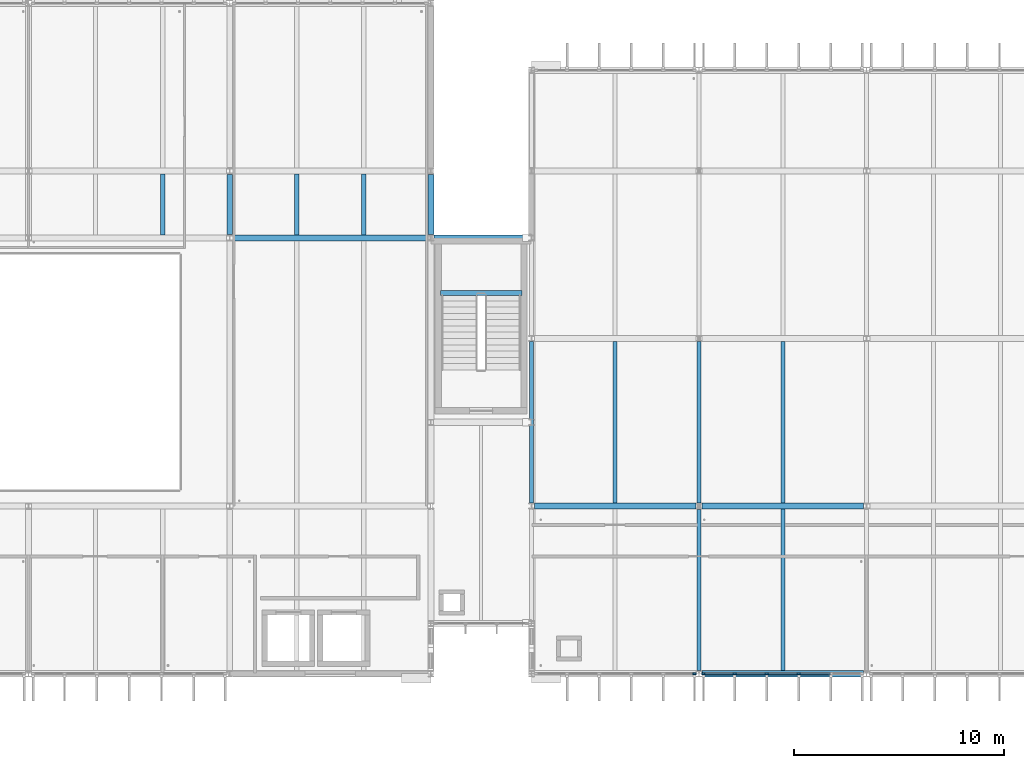
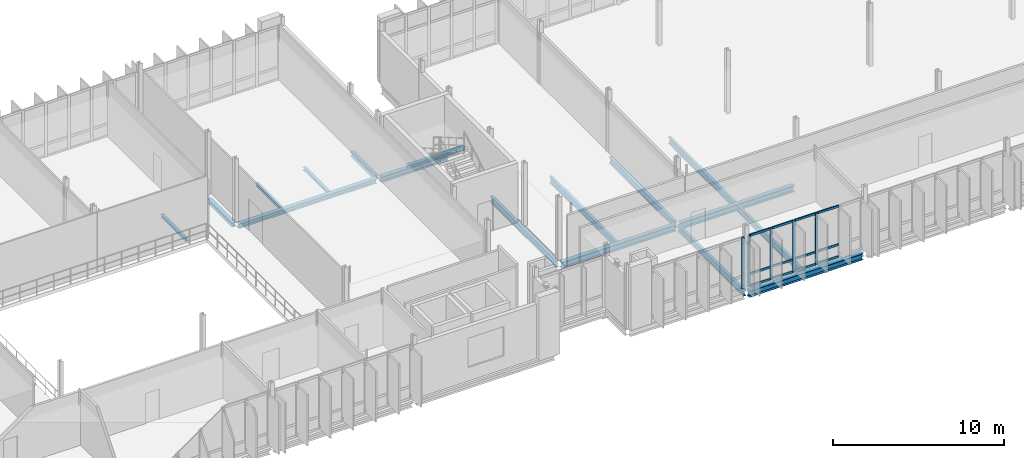
# One storey, part 28 of 93: 17 beams, 17 members, 2 elements without a shape of their own.
"""IFC4 building model written with IfcOpenShell, lengths in metres."""

from ifc_helpers import new_model, si_unit, direction, frame, origin, origin_2d, place, context, subcontext, project, spatial, rectangle, i_section, extrude, material, material_profile, profile_set, type_object, element, aggregate, save


model = new_model("IFC4")

# Units and contexts
model_context = context("Model", 3, precision=1e-05, world=origin(), true_north=direction((0.0, 1.0)))
body_context = subcontext(model_context, "Body", "Model", "MODEL_VIEW")
ifc_project = project(units=[si_unit("LENGTHUNIT", "METRE"), si_unit("AREAUNIT", "SQUARE_METRE"), si_unit("VOLUMEUNIT", "CUBIC_METRE"), si_unit("PLANEANGLEUNIT", "RADIAN"), si_unit("MASSUNIT", "GRAM", prefix="KILO")], contexts=[model_context])

# Site, building, storey
site_placement = place(None, origin())
site = spatial("IfcSite", under=ifc_project, at=site_placement, CompositionType="ELEMENT")
building_placement = place(site_placement, origin())
building = spatial("IfcBuilding", under=site, at=building_placement, Name="Dunescarp Central Library", CompositionType="ELEMENT")
storey_placement = place(building_placement, frame((0.0, 0.0, 14.10009765625)))
storey = spatial("IfcBuildingStorey", under=building, at=storey_placement, Name="L03", CompositionType="ELEMENT", Elevation=14.10009765625)

# Curtain wall, member
ifc_material_1 = material(Name="Marine-grade anodised aluminium 6063-T6", Category="aluminium")
curtain_wall_type = type_object("IfcCurtainWallType", Name="ARC-CW-STICK", PredefinedType="NOTDEFINED", material=ifc_material_1)
curtain_wall_1_placement = place(storey_placement, origin())
curtain_wall_1 = element("IfcCurtainWall", 1, at=curtain_wall_1_placement, inside=storey, type_object=curtain_wall_type, Name="L03 curtain wall CW-V3-098", PredefinedType="NOTDEFINED")
ifc_material_profile_1 = material_profile(ifc_material_1, rectangle(XDim=0.080078125, YDim=0.179931640625, at=origin_2d()), Name="AL 80x180")
ifc_profile_set_1 = profile_set([ifc_material_profile_1], Name="Marine-grade anodised aluminium 6063-T6")
member_type_1 = type_object("IfcMemberType", Name="ARC-CWM-180", PredefinedType="MULLION", material=ifc_profile_set_1)
member_1_placement = place(storey_placement, frame((89.385009765625, 4.800048828125, 0.0), z_axis=(0.0, 0.0, 1.0), x_axis=(0.0, -1.0, 0.0)))
member_1 = element("IfcMember", 2, at=member_1_placement, type_object=member_type_1, Name="CW-V3-098 mullion 1", PredefinedType="MULLION", context=body_context, shape_type="SweptSolid", body=[
    extrude(rectangle(XDim=0.080078125, YDim=0.179931640625, at=origin_2d()), origin(), (0.0, 0.0, 1.0), 3.6748046875),
])
aggregate(curtain_wall_1, [member_1])

# Curtain wall, members
curtain_wall_2_placement = place(storey_placement, origin())
curtain_wall_2 = element("IfcCurtainWall", 3, at=curtain_wall_2_placement, inside=storey, type_object=curtain_wall_type, Name="L03 curtain wall CW-V3-099", PredefinedType="NOTDEFINED")
member_2_placement = place(storey_placement, frame((94.364990234375, 4.800048828125, 0.0), z_axis=(0.0, 0.0, 1.0), x_axis=(0.0, -1.0, 0.0)))
member_2 = element("IfcMember", 4, at=member_2_placement, type_object=member_type_1, Name="CW-V3-099 mullion 3", PredefinedType="MULLION", context=body_context, shape_type="SweptSolid", body=[
    extrude(rectangle(XDim=0.080078125, YDim=0.179931640625, at=origin_2d()), origin(), (0.0, 0.0, 1.0), 3.6748046875),
])
member_3_placement = place(storey_placement, frame((92.8349609375, 4.800048828125, 0.0), z_axis=(0.0, 0.0, 1.0), x_axis=(0.0, -1.0, 0.0)))
member_3 = element("IfcMember", 5, at=member_3_placement, type_object=member_type_1, Name="CW-V3-099 mullion 4", PredefinedType="MULLION", context=body_context, shape_type="SweptSolid", body=[
    extrude(rectangle(XDim=0.080078125, YDim=0.179931640625, at=origin_2d()), origin(), (0.0, 0.0, 1.0), 3.6748046875),
])
member_4_placement = place(storey_placement, frame((91.304931640625, 4.800048828125, 0.0), z_axis=(0.0, 0.0, 1.0), x_axis=(0.0, -1.0, 0.0)))
member_4 = element("IfcMember", 6, at=member_4_placement, type_object=member_type_1, Name="CW-V3-099 mullion 5", PredefinedType="MULLION", context=body_context, shape_type="SweptSolid", body=[
    extrude(rectangle(XDim=0.080078125, YDim=0.179931640625, at=origin_2d()), origin(), (0.0, 0.0, 1.0), 3.6748046875),
])
member_5_placement = place(storey_placement, frame((89.81494140625, 4.800048828125, 0.0), z_axis=(0.0, 0.0, 1.0), x_axis=(0.0, -1.0, 0.0)))
member_5 = element("IfcMember", 7, at=member_5_placement, type_object=member_type_1, Name="CW-V3-099 mullion 6", PredefinedType="MULLION", context=body_context, shape_type="SweptSolid", body=[
    extrude(rectangle(XDim=0.080078125, YDim=0.179931640625, at=origin_2d()), origin(), (0.0, 0.0, 1.0), 3.6748046875),
])
ifc_material_profile_2 = material_profile(ifc_material_1, rectangle(XDim=0.080078125, YDim=0.14990234375, at=origin_2d()), Name="AL 80x150")
ifc_profile_set_2 = profile_set([ifc_material_profile_2], Name="Marine-grade anodised aluminium 6063-T6")
member_type_2 = type_object("IfcMemberType", Name="ARC-CWT-150", PredefinedType="USERDEFINED", material=ifc_profile_set_2)
member_6_placement = place(storey_placement, frame((95.85498046875, 4.800048828125, 0.039794921875), z_axis=(-1.0, 0.0, 0.0), x_axis=(0.0, -1.0, 0.0)))
member_6 = element("IfcMember", 8, at=member_6_placement, type_object=member_type_2, Name="CW-V3-099 transom 2.1", ObjectType="TRANSOM", PredefinedType="USERDEFINED", context=body_context, shape_type="SweptSolid", body=[
    extrude(rectangle(XDim=0.080078125, YDim=0.14990234375, at=origin_2d()), origin(), (0.0, 0.0, 1.0), 1.449951171875),
])
member_7_placement = place(storey_placement, frame((95.85498046875, 4.800048828125, 0.89990234375), z_axis=(-1.0, 0.0, 0.0), x_axis=(0.0, -1.0, 0.0)))
member_7 = element("IfcMember", 9, at=member_7_placement, type_object=member_type_2, Name="CW-V3-099 transom 2.2", ObjectType="TRANSOM", PredefinedType="USERDEFINED", context=body_context, shape_type="SweptSolid", body=[
    extrude(rectangle(XDim=0.080078125, YDim=0.14990234375, at=origin_2d()), origin(), (0.0, 0.0, 1.0), 1.449951171875),
])
member_8_placement = place(storey_placement, frame((95.85498046875, 4.800048828125, 3.635009765625), z_axis=(-1.0, 0.0, 0.0), x_axis=(0.0, -1.0, 0.0)))
member_8 = element("IfcMember", 10, at=member_8_placement, type_object=member_type_2, Name="CW-V3-099 transom 2.3", ObjectType="TRANSOM", PredefinedType="USERDEFINED", context=body_context, shape_type="SweptSolid", body=[
    extrude(rectangle(XDim=0.080078125, YDim=0.14990234375, at=origin_2d()), origin(), (0.0, 0.0, 1.0), 1.449951171875),
])
member_9_placement = place(storey_placement, frame((94.324951171875, 4.800048828125, 0.039794921875), z_axis=(-1.0, 0.0, 0.0), x_axis=(0.0, -1.0, 0.0)))
member_9 = element("IfcMember", 11, at=member_9_placement, type_object=member_type_2, Name="CW-V3-099 transom 3.1", ObjectType="TRANSOM", PredefinedType="USERDEFINED", context=body_context, shape_type="SweptSolid", body=[
    extrude(rectangle(XDim=0.080078125, YDim=0.14990234375, at=origin_2d()), origin(), (0.0, 0.0, 1.0), 1.449951171875),
])
member_10_placement = place(storey_placement, frame((94.324951171875, 4.800048828125, 0.89990234375), z_axis=(-1.0, 0.0, 0.0), x_axis=(0.0, -1.0, 0.0)))
member_10 = element("IfcMember", 12, at=member_10_placement, type_object=member_type_2, Name="CW-V3-099 transom 3.2", ObjectType="TRANSOM", PredefinedType="USERDEFINED", context=body_context, shape_type="SweptSolid", body=[
    extrude(rectangle(XDim=0.080078125, YDim=0.14990234375, at=origin_2d()), origin(), (0.0, 0.0, 1.0), 1.449951171875),
])
member_11_placement = place(storey_placement, frame((94.324951171875, 4.800048828125, 3.635009765625), z_axis=(-1.0, 0.0, 0.0), x_axis=(0.0, -1.0, 0.0)))
member_11 = element("IfcMember", 13, at=member_11_placement, type_object=member_type_2, Name="CW-V3-099 transom 3.3", ObjectType="TRANSOM", PredefinedType="USERDEFINED", context=body_context, shape_type="SweptSolid", body=[
    extrude(rectangle(XDim=0.080078125, YDim=0.14990234375, at=origin_2d()), origin(), (0.0, 0.0, 1.0), 1.449951171875),
])
member_12_placement = place(storey_placement, frame((92.794921875, 4.800048828125, 0.039794921875), z_axis=(-1.0, 0.0, 0.0), x_axis=(0.0, -1.0, 0.0)))
member_12 = element("IfcMember", 14, at=member_12_placement, type_object=member_type_2, Name="CW-V3-099 transom 4.1", ObjectType="TRANSOM", PredefinedType="USERDEFINED", context=body_context, shape_type="SweptSolid", body=[
    extrude(rectangle(XDim=0.080078125, YDim=0.14990234375, at=origin_2d()), origin(), (0.0, 0.0, 1.0), 1.449951171875),
])
member_13_placement = place(storey_placement, frame((92.794921875, 4.800048828125, 0.89990234375), z_axis=(-1.0, 0.0, 0.0), x_axis=(0.0, -1.0, 0.0)))
member_13 = element("IfcMember", 15, at=member_13_placement, type_object=member_type_2, Name="CW-V3-099 transom 4.2", ObjectType="TRANSOM", PredefinedType="USERDEFINED", context=body_context, shape_type="SweptSolid", body=[
    extrude(rectangle(XDim=0.080078125, YDim=0.14990234375, at=origin_2d()), origin(), (0.0, 0.0, 1.0), 1.449951171875),
])
member_14_placement = place(storey_placement, frame((92.794921875, 4.800048828125, 3.635009765625), z_axis=(-1.0, 0.0, 0.0), x_axis=(0.0, -1.0, 0.0)))
member_14 = element("IfcMember", 16, at=member_14_placement, type_object=member_type_2, Name="CW-V3-099 transom 4.3", ObjectType="TRANSOM", PredefinedType="USERDEFINED", context=body_context, shape_type="SweptSolid", body=[
    extrude(rectangle(XDim=0.080078125, YDim=0.14990234375, at=origin_2d()), origin(), (0.0, 0.0, 1.0), 1.449951171875),
])
member_15_placement = place(storey_placement, frame((91.264892578125, 4.800048828125, 0.039794921875), z_axis=(-1.0, 0.0, 0.0), x_axis=(0.0, -1.0, 0.0)))
member_15 = element("IfcMember", 17, at=member_15_placement, type_object=member_type_2, Name="CW-V3-099 transom 5.1", ObjectType="TRANSOM", PredefinedType="USERDEFINED", context=body_context, shape_type="SweptSolid", body=[
    extrude(rectangle(XDim=0.080078125, YDim=0.14990234375, at=origin_2d()), origin(), (0.0, 0.0, 1.0), 1.409912109375),
])
member_16_placement = place(storey_placement, frame((91.264892578125, 4.800048828125, 0.89990234375), z_axis=(-1.0, 0.0, 0.0), x_axis=(0.0, -1.0, 0.0)))
member_16 = element("IfcMember", 18, at=member_16_placement, type_object=member_type_2, Name="CW-V3-099 transom 5.2", ObjectType="TRANSOM", PredefinedType="USERDEFINED", context=body_context, shape_type="SweptSolid", body=[
    extrude(rectangle(XDim=0.080078125, YDim=0.14990234375, at=origin_2d()), origin(), (0.0, 0.0, 1.0), 1.409912109375),
])
member_17_placement = place(storey_placement, frame((91.264892578125, 4.800048828125, 3.635009765625), z_axis=(-1.0, 0.0, 0.0), x_axis=(0.0, -1.0, 0.0)))
member_17 = element("IfcMember", 19, at=member_17_placement, type_object=member_type_2, Name="CW-V3-099 transom 5.3", ObjectType="TRANSOM", PredefinedType="USERDEFINED", context=body_context, shape_type="SweptSolid", body=[
    extrude(rectangle(XDim=0.080078125, YDim=0.14990234375, at=origin_2d()), origin(), (0.0, 0.0, 1.0), 1.409912109375),
])
aggregate(curtain_wall_2, [member_2, member_3, member_4, member_5, member_6, member_7, member_8, member_9, member_10, member_11, member_12, member_13, member_14, member_15, member_16, member_17])

# Beams
ifc_material_2 = material(Name="Steel S355JR", Category="steel")
ifc_material_profile_3 = material_profile(ifc_material_2, i_section(OverallWidth=0.300048828125, OverallDepth=0.31005859375, WebThickness=0.009033203125, FlangeThickness=0.015380859375, at=origin_2d()), Name="HEA 320")
ifc_profile_set_3 = profile_set([ifc_material_profile_3], Name="Steel S355JR")
beam_type_1 = type_object("IfcBeamType", Name="STR-BM-HEA320", PredefinedType="BEAM", material=ifc_profile_set_3)
beam_1_placement = place(storey_placement, frame((67.35107421875, 25.60009765625, -0.39501953125), z_axis=(1.0, 0.0, 0.0), x_axis=(0.0, 1.0, 0.0)))
element("IfcBeam", 20, at=beam_1_placement, inside=storey, type_object=beam_type_1, Name="L03 girder BM-L03-0526", PredefinedType="BEAM", context=body_context, shape_type="SweptSolid", body=[
    extrude(i_section(OverallWidth=0.300048828125, OverallDepth=0.31005859375, WebThickness=0.009033203125, FlangeThickness=0.015380859375, at=origin_2d()), origin(), (0.0, 0.0, 1.0), 9.2978515625),
])
ifc_material_profile_4 = material_profile(ifc_material_2, i_section(OverallWidth=0.300048828125, OverallDepth=0.389892578125, WebThickness=0.010986328125, FlangeThickness=0.01904296875, at=origin_2d()), Name="HEA 400")
ifc_profile_set_4 = profile_set([ifc_material_profile_4], Name="Steel S355JR")
beam_type_2 = type_object("IfcBeamType", Name="STR-BM-HEA400", PredefinedType="BEAM", material=ifc_profile_set_4)
beam_2_placement = place(storey_placement, frame((76.950927734375, 25.60009765625, -0.43505859375), z_axis=(1.0, 0.0, 0.0), x_axis=(0.0, 1.0, 0.0)))
element("IfcBeam", 21, at=beam_2_placement, inside=storey, type_object=beam_type_2, Name="L03 girder BM-L03-1252", PredefinedType="BEAM", context=body_context, shape_type="SweptSolid", body=[
    extrude(i_section(OverallWidth=0.300048828125, OverallDepth=0.389892578125, WebThickness=0.010986328125, FlangeThickness=0.01904296875, at=origin_2d()), origin(), (0.0, 0.0, 1.0), 4.52099609375),
])
ifc_material_profile_5 = material_profile(ifc_material_2, i_section(OverallWidth=0.300048828125, OverallDepth=0.43994140625, WebThickness=0.011474609375, FlangeThickness=0.02099609375, at=origin_2d()), Name="HEA 450")
ifc_profile_set_5 = profile_set([ifc_material_profile_5], Name="Steel S355JR")
beam_type_3 = type_object("IfcBeamType", Name="STR-BM-HEA450", PredefinedType="BEAM", material=ifc_profile_set_5)
for number, where, z_axis, x_axis, name in (
    (22, (81.7509765625, 12.800048828125, -0.460205078125), (1.0, 0.0, 0.0), (0.0, 1.0, 0.0), "L03 girder BM-L03-0810"),
    (23, (89.7509765625, 4.800048828125, -0.460205078125), (1.0, 0.0, 0.0), (0.0, 1.0, 0.0), "L03 girder BM-L03-0826"),
    (24, (89.7509765625, 12.800048828125, -0.460205078125), (1.0, 0.0, 0.0), (0.0, 1.0, 0.0), "L03 girder BM-L03-0827"),
):
    element("IfcBeam", number, at=place(storey_placement, frame(where, z_axis=z_axis, x_axis=x_axis)), inside=storey, type_object=beam_type_3, Name=name, PredefinedType="BEAM", context=body_context, shape_type="SweptSolid", body=[
        extrude(i_section(OverallWidth=0.300048828125, OverallDepth=0.43994140625, WebThickness=0.011474609375, FlangeThickness=0.02099609375, at=origin_2d()), origin(), (0.0, 0.0, 1.0), 7.697998046875),
    ])
ifc_material_profile_6 = material_profile(ifc_material_2, i_section(OverallWidth=0.280029296875, OverallDepth=0.280029296875, WebThickness=0.010498046875, FlangeThickness=0.01806640625, at=origin_2d()), Name="HEB 280")
ifc_profile_set_6 = profile_set([ifc_material_profile_6], Name="Steel S355JR")
beam_type_4 = type_object("IfcBeamType", Name="STR-BM-HEB280", PredefinedType="BEAM", material=ifc_profile_set_6)
for number, where, z_axis, x_axis, name in (
    (25, (67.199951171875, 25.75390625, -0.380126953125), (0.0, 1.0, 0.0), (-1.0, 0.0, 0.0), "L03 girder BM-L03-0514"),
    (26, (76.800048828125, 25.75390625, -0.380126953125), (0.0, 1.0, 0.0), (-1.0, 0.0, 0.0), "L03 girder BM-L03-0531"),
):
    element("IfcBeam", number, at=place(storey_placement, frame(where, z_axis=z_axis, x_axis=x_axis)), inside=storey, type_object=beam_type_4, Name=name, PredefinedType="BEAM", context=body_context, shape_type="SweptSolid", body=[
        extrude(i_section(OverallWidth=0.280029296875, OverallDepth=0.280029296875, WebThickness=0.010498046875, FlangeThickness=0.01806640625, at=origin_2d()), origin(), (0.0, 0.0, 1.0), 2.885009765625),
    ])
ifc_material_profile_7 = material_profile(ifc_material_2, i_section(OverallWidth=0.19140625, OverallDepth=0.4599609375, WebThickness=0.010009765625, FlangeThickness=0.01611328125, at=origin_2d()), Name="UB 457x191x82")
ifc_profile_set_7 = profile_set([ifc_material_profile_7], Name="Steel S355JR")
beam_type_5 = type_object("IfcBeamType", Name="STR-BM-UB457X82", PredefinedType="BEAM", material=ifc_profile_set_7)
for number, where, z_axis, x_axis, name in (
    (27, (89.60009765625, 4.9541015625, -0.47021484375), (0.0, 1.0, 0.0), (-1.0, 0.0, 0.0), "L03 girder BM-L03-0812"),
    (28, (81.60009765625, 12.9541015625, -0.47021484375), (0.0, 1.0, 0.0), (-1.0, 0.0, 0.0), "L03 girder BM-L03-0815"),
    (29, (89.60009765625, 12.9541015625, -0.47021484375), (0.0, 1.0, 0.0), (-1.0, 0.0, 0.0), "L03 girder BM-L03-0816"),
):
    element("IfcBeam", number, at=place(storey_placement, frame(where, z_axis=z_axis, x_axis=x_axis)), inside=storey, type_object=beam_type_5, Name=name, PredefinedType="BEAM", context=body_context, shape_type="SweptSolid", body=[
        extrude(i_section(OverallWidth=0.19140625, OverallDepth=0.4599609375, WebThickness=0.010009765625, FlangeThickness=0.01611328125, at=origin_2d()), origin(), (0.0, 0.0, 1.0), 7.69189453125),
    ])
ifc_material_profile_8 = material_profile(ifc_material_2, i_section(OverallWidth=0.239990234375, OverallDepth=0.22998046875, WebThickness=0.007568359375, FlangeThickness=0.011962890625, at=origin_2d()), Name="HEA 240")
ifc_profile_set_8 = profile_set([ifc_material_profile_8], Name="Steel S355JR")
beam_type_6 = type_object("IfcBeamType", Name="STR-JS-HEA240", PredefinedType="JOIST", material=ifc_profile_set_8)
beam_3_placement = place(storey_placement, frame((77.260009765625, 22.97998046875, 1.934814453125), z_axis=(1.0, 0.0, 0.0), x_axis=(0.0, 1.0, 0.0)))
element("IfcBeam", 30, at=beam_3_placement, inside=storey, type_object=beam_type_6, Name="L03 ST-3 landing trimmer beam BM-ST-022", PredefinedType="BEAM", context=body_context, shape_type="SweptSolid", body=[
    extrude(i_section(OverallWidth=0.239990234375, OverallDepth=0.22998046875, WebThickness=0.007568359375, FlangeThickness=0.011962890625, at=origin_2d()), origin(), (0.0, 0.0, 1.0), 3.8798828125),
])
ifc_material_profile_9 = material_profile(ifc_material_2, i_section(OverallWidth=0.199951171875, OverallDepth=0.199951171875, WebThickness=0.009033203125, FlangeThickness=0.014892578125, at=origin_2d()), Name="HEB 200")
ifc_profile_set_9 = profile_set([ifc_material_profile_9], Name="Steel S355JR")
beam_type_7 = type_object("IfcBeamType", Name="STR-JS-HEB200", PredefinedType="JOIST", material=ifc_profile_set_9)
for number, where, z_axis, x_axis, name in (
    (31, (64.0, 25.748046875, -0.340087890625), (0.0, 1.0, 0.0), (-1.0, 0.0, 0.0), "L03 joist JS-L03-0516"),
    (32, (70.39990234375, 25.748046875, -0.340087890625), (0.0, 1.0, 0.0), (-1.0, 0.0, 0.0), "L03 joist JS-L03-0532"),
    (33, (73.60009765625, 25.748046875, -0.340087890625), (0.0, 1.0, 0.0), (-1.0, 0.0, 0.0), "L03 joist JS-L03-0533"),
):
    element("IfcBeam", number, at=place(storey_placement, frame(where, z_axis=z_axis, x_axis=x_axis)), inside=storey, type_object=beam_type_7, Name=name, PredefinedType="JOIST", context=body_context, shape_type="SweptSolid", body=[
        extrude(i_section(OverallWidth=0.199951171875, OverallDepth=0.199951171875, WebThickness=0.009033203125, FlangeThickness=0.014892578125, at=origin_2d()), origin(), (0.0, 0.0, 1.0), 2.904052734375),
    ])
ifc_material_profile_10 = material_profile(ifc_material_2, i_section(OverallWidth=0.18994140625, OverallDepth=0.449951171875, WebThickness=0.009521484375, FlangeThickness=0.0146484375, at=origin_2d()), Name="IPE 450")
ifc_profile_set_10 = profile_set([ifc_material_profile_10], Name="Steel S355JR")
beam_type_8 = type_object("IfcBeamType", Name="STR-JS-IPE450", PredefinedType="JOIST", material=ifc_profile_set_10)
for number, where, z_axis, x_axis, name in (
    (34, (85.60009765625, 12.947998046875, -0.465087890625), (0.0, 1.0, 0.0), (-1.0, 0.0, 0.0), "L03 joist JS-L03-0817"),
    (35, (93.60009765625, 4.947998046875, -0.465087890625), (0.0, 1.0, 0.0), (-1.0, 0.0, 0.0), "L03 joist JS-L03-0829"),
    (36, (93.60009765625, 12.947998046875, -0.465087890625), (0.0, 1.0, 0.0), (-1.0, 0.0, 0.0), "L03 joist JS-L03-0832"),
):
    element("IfcBeam", number, at=place(storey_placement, frame(where, z_axis=z_axis, x_axis=x_axis)), inside=storey, type_object=beam_type_8, Name=name, PredefinedType="JOIST", context=body_context, shape_type="SweptSolid", body=[
        extrude(i_section(OverallWidth=0.18994140625, OverallDepth=0.449951171875, WebThickness=0.009521484375, FlangeThickness=0.0146484375, at=origin_2d()), origin(), (0.0, 0.0, 1.0), 7.7041015625),
    ])

save(model, "model.ifc")
